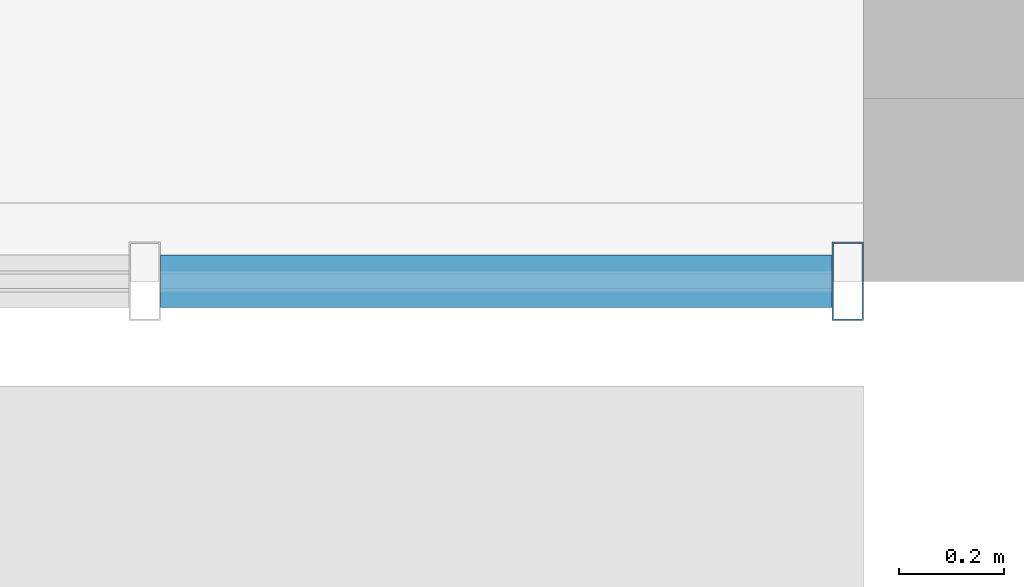
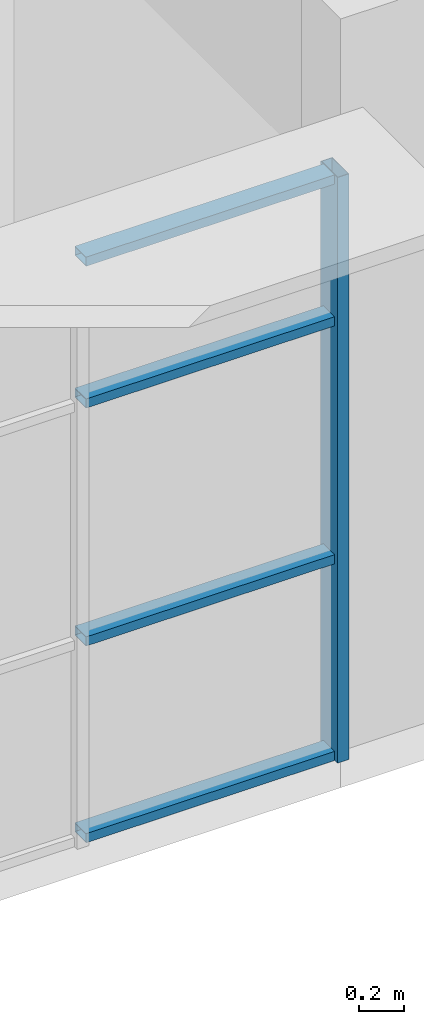
# One storey, part 29 of 92: 5 members, 1 element without a shape of its own.
"""IFC4 building model written with IfcOpenShell, lengths in metres."""

from ifc_helpers import new_model, si_unit, direction, frame, origin, origin_2d, place, context, subcontext, project, spatial, hollow_rectangle, extrude, material, material_profile, profile_set, type_object, element, aggregate, save


model = new_model("IFC4")

# Units and contexts
model_context = context("Model", 3, precision=1e-05, world=origin(), true_north=direction((0.0, 1.0)))
body_context = subcontext(model_context, "Body", "Model", "MODEL_VIEW")
ifc_project = project(units=[si_unit("LENGTHUNIT", "METRE"), si_unit("AREAUNIT", "SQUARE_METRE"), si_unit("VOLUMEUNIT", "CUBIC_METRE"), si_unit("PLANEANGLEUNIT", "RADIAN"), si_unit("MASSUNIT", "GRAM", prefix="KILO")], contexts=[model_context])

# Site, building, storey
site_placement = place(None, origin())
site = spatial("IfcSite", under=ifc_project, at=site_placement, CompositionType="ELEMENT")
building_placement = place(site_placement, origin())
building = spatial("IfcBuilding", under=site, at=building_placement, Name="Laocheng Heights Fire and Rescue Headquarters", CompositionType="ELEMENT")
storey_placement = place(building_placement, frame((0.0, 0.0, 12.60009765625)))
storey = spatial("IfcBuildingStorey", under=building, at=storey_placement, Name="L03", CompositionType="ELEMENT", Elevation=12.60009765625)

# Curtain wall, members
ifc_material_1 = material(Name="Dark anodised aluminium unitised curtain wall, low-e double glazing", Category="aluminium")
curtain_wall_type = type_object("IfcCurtainWallType", Name="CW 5500 x 3200 HQ SOUTH RIBBON", PredefinedType="NOTDEFINED", material=ifc_material_1)
curtain_wall_placement = place(storey_placement, origin())
curtain_wall = element("IfcCurtainWall", 1, at=curtain_wall_placement, inside=storey, type_object=curtain_wall_type, Name="X8-X HQ SOUTH L03", PredefinedType="NOTDEFINED")
ifc_material_2 = material(Name="Dark anodised aluminium 6063-T5 extrusion", Category="aluminium")
ifc_material_profile_1 = material_profile(ifc_material_2, hollow_rectangle(XDim=0.14990234375, YDim=0.06005859375, WallThickness=0.0029296875, at=origin_2d()), Name="AL MULLION 150x60x3 HQ SOUTH RIBBON")
ifc_profile_set_1 = profile_set([ifc_material_profile_1], Name="Dark anodised aluminium 6063-T5 extrusion")
member_type_1 = type_object("IfcMemberType", Name="AL MULLION 150x60x3 HQ SOUTH RIBBON", PredefinedType="MULLION", material=ifc_profile_set_1)
member_1_placement = place(storey_placement, frame((41.969970703125, 50.39990234375, 0.0), z_axis=(0.0, 0.0, 1.0), x_axis=(0.0, 1.0, 0.0)))
member_1 = element("IfcMember", 2, at=member_1_placement, type_object=member_type_1, Name="X8-X mullion 5", PredefinedType="MULLION", context=body_context, shape_type="SweptSolid", body=[
    extrude(hollow_rectangle(XDim=0.14990234375, YDim=0.06005859375, WallThickness=0.0029296875, at=origin_2d()), origin(), (0.0, 0.0, 1.0), 3.199951171875),
])
ifc_material_3 = material(Name="Dark anodised aluminium 6063-T5 extrusion", Category="aluminium")
ifc_material_profile_2 = material_profile(ifc_material_3, hollow_rectangle(XDim=0.10009765625, YDim=0.050048828125, WallThickness=0.0029296875, at=origin_2d()), Name="AL TRANSOM 100x50x3 HQ SOUTH RIBBON")
ifc_profile_set_2 = profile_set([ifc_material_profile_2], Name="Dark anodised aluminium 6063-T5 extrusion")
member_type_2 = type_object("IfcMemberType", Name="AL TRANSOM 100x50x3 HQ SOUTH RIBBON", PredefinedType="USERDEFINED", material=ifc_profile_set_2)
member_2_placement = place(storey_placement, frame((40.655029296875, 50.39990234375, 0.02490234375), z_axis=(1.0, 0.0, 0.0), x_axis=(0.0, 1.0, 0.0)))
member_2 = element("IfcMember", 3, at=member_2_placement, type_object=member_type_2, Name="X8-X transom 4.1", ObjectType="TRANSOM", PredefinedType="USERDEFINED", context=body_context, shape_type="SweptSolid", body=[
    extrude(hollow_rectangle(XDim=0.10009765625, YDim=0.050048828125, WallThickness=0.0029296875, at=origin_2d()), origin(), (0.0, 0.0, 1.0), 1.284912109375),
])
member_3_placement = place(storey_placement, frame((40.655029296875, 50.39990234375, 1.099853515625), z_axis=(1.0, 0.0, 0.0), x_axis=(0.0, 1.0, 0.0)))
member_3 = element("IfcMember", 4, at=member_3_placement, type_object=member_type_2, Name="X8-X transom 4.2", ObjectType="TRANSOM", PredefinedType="USERDEFINED", context=body_context, shape_type="SweptSolid", body=[
    extrude(hollow_rectangle(XDim=0.10009765625, YDim=0.050048828125, WallThickness=0.0029296875, at=origin_2d()), origin(), (0.0, 0.0, 1.0), 1.284912109375),
])
member_4_placement = place(storey_placement, frame((40.655029296875, 50.39990234375, 2.39990234375), z_axis=(1.0, 0.0, 0.0), x_axis=(0.0, 1.0, 0.0)))
member_4 = element("IfcMember", 5, at=member_4_placement, type_object=member_type_2, Name="X8-X transom 4.3", ObjectType="TRANSOM", PredefinedType="USERDEFINED", context=body_context, shape_type="SweptSolid", body=[
    extrude(hollow_rectangle(XDim=0.10009765625, YDim=0.050048828125, WallThickness=0.0029296875, at=origin_2d()), origin(), (0.0, 0.0, 1.0), 1.284912109375),
])
member_5_placement = place(storey_placement, frame((40.655029296875, 50.39990234375, 3.1748046875), z_axis=(1.0, 0.0, 0.0), x_axis=(0.0, 1.0, 0.0)))
member_5 = element("IfcMember", 6, at=member_5_placement, type_object=member_type_2, Name="X8-X transom 4.4", ObjectType="TRANSOM", PredefinedType="USERDEFINED", context=body_context, shape_type="SweptSolid", body=[
    extrude(hollow_rectangle(XDim=0.10009765625, YDim=0.050048828125, WallThickness=0.0029296875, at=origin_2d()), origin(), (0.0, 0.0, 1.0), 1.284912109375),
])
aggregate(curtain_wall, [member_1, member_2, member_3, member_4, member_5])

save(model, "model.ifc")
